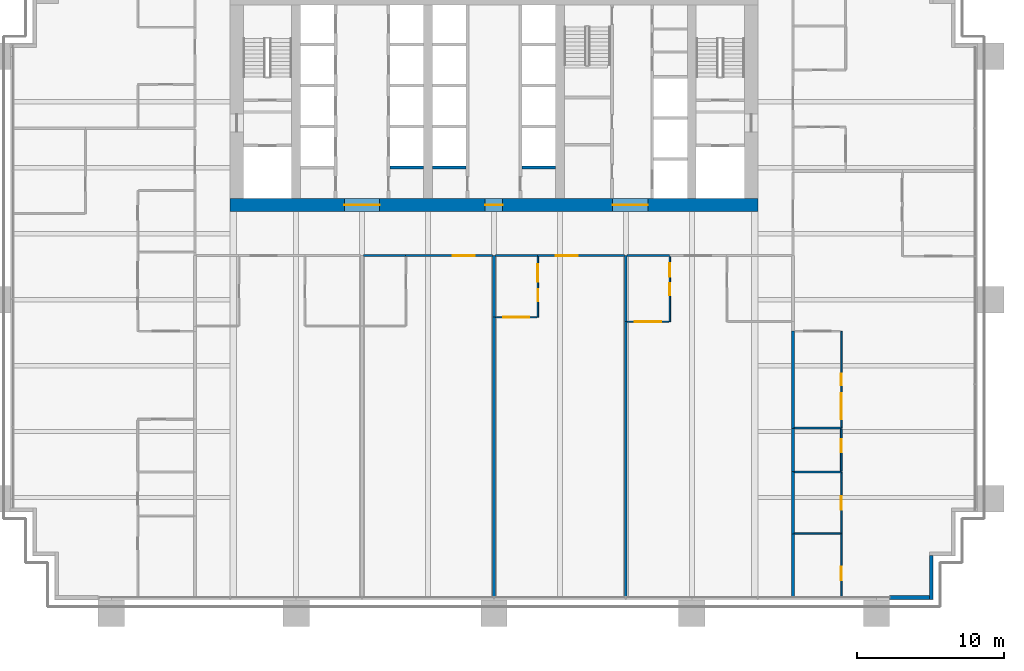
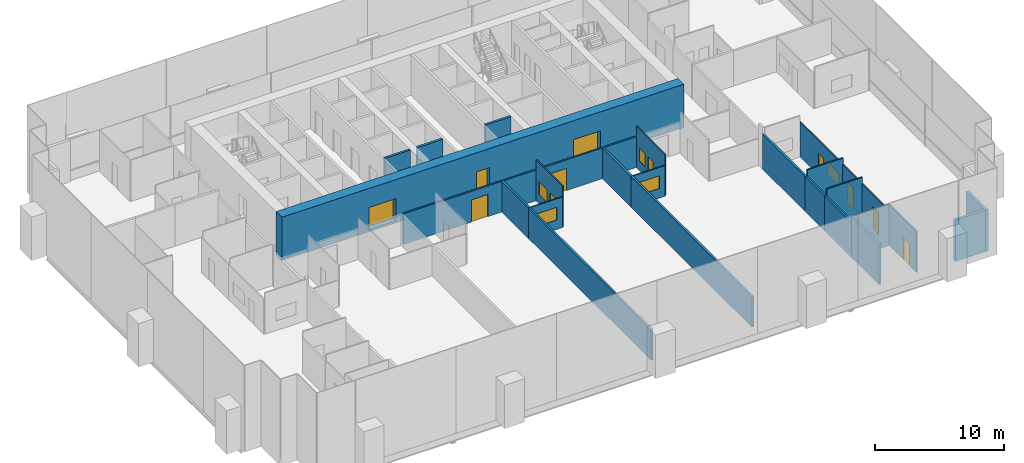
# One storey, part 12 of 18: 30 walls, 11 doors, 5 windows, 16 openings.
"""IFC4 building model written with IfcOpenShell, lengths in metres."""

from ifc_helpers import new_model, si_unit, direction, frame, frame_2d, origin, place, context, subcontext, project, spatial, rectangle, extrude, material, layer, layer_set, type_object, element, fill, save


model = new_model("IFC4")

# Units and contexts
model_context = context("Model", 3, precision=1e-05, world=origin(), true_north=direction((0.0, 1.0)))
body_context = subcontext(model_context, "Body", "Model", "MODEL_VIEW")
ifc_project = project(units=[si_unit("LENGTHUNIT", "METRE"), si_unit("AREAUNIT", "SQUARE_METRE"), si_unit("VOLUMEUNIT", "CUBIC_METRE"), si_unit("PLANEANGLEUNIT", "RADIAN"), si_unit("MASSUNIT", "GRAM", prefix="KILO")], contexts=[model_context])

# Site, building, storey
site_placement = place(None, origin())
site = spatial("IfcSite", under=ifc_project, at=site_placement, CompositionType="ELEMENT")
building_placement = place(site_placement, origin())
building = spatial("IfcBuilding", under=site, at=building_placement, Name="Rattan Terrace Tower", CompositionType="ELEMENT")
storey_placement = place(building_placement, frame((0.0, 0.0, 32.39990234375)))
storey = spatial("IfcBuildingStorey", under=building, at=storey_placement, Name="L06", CompositionType="ELEMENT", Elevation=32.39990234375)

# Wall, openings, doors
ifc_material_1 = material(Name="Concrete C70/85", Category="concrete")
ifc_layer_1 = layer(ifc_material_1, 0.89990234375)
ifc_layer_set_1 = layer_set([ifc_layer_1], Name="Core ring wall 900 C70/85")
wall_type_1 = type_object("IfcWallType", Name="Core ring wall 900 C70/85", PredefinedType="SHEAR", material=ifc_layer_set_1)
wall_1_placement = place(storey_placement, frame((-18.0, -7.050048828125, -0.199951171875), z_axis=(0.0, 0.0, 1.0), x_axis=(1.0, 0.0, 0.0)))
wall_1 = element("IfcWall", 1, at=wall_1_placement, inside=storey, type_object=wall_type_1, Name="Rear core wall south", PredefinedType="SHEAR", context=body_context, shape_type="SweptSolid", body=[
    extrude(rectangle(XDim=36.0, YDim=0.89990234375, at=frame_2d((18.0, 0.0))), origin(), (0.0, 0.0, 1.0), 4.10009765625),
])
opening_1_placement = place(wall_1_placement, frame((7.800048828125, 0.0, 0.199951171875)))
opening_1 = element("IfcOpeningElement", 2, at=opening_1_placement, cuts=wall_1, Name="Opening L06-D007", PredefinedType="OPENING", context=body_context, shape_type="SweptSolid", body=[
    extrude(rectangle(XDim=2.39990234375, YDim=2.10009765625, at=frame_2d((1.199951171875, 1.050048828125))), frame((0.0, 0.46044921875, 0.0), z_axis=(0.0, -1.0, 0.0), x_axis=(1.0, 0.0, 0.0)), (0.0, 0.0, 1.0), 0.9208984375),
])
opening_2_placement = place(wall_1_placement, frame((17.39990234375, 0.0, 0.199951171875)))
opening_2 = element("IfcOpeningElement", 3, at=opening_2_placement, cuts=wall_1, Name="Opening L06-D010", PredefinedType="OPENING", context=body_context, shape_type="SweptSolid", body=[
    extrude(rectangle(XDim=1.199951171875, YDim=2.10009765625, at=frame_2d((0.60009765625, 1.050048828125))), frame((0.0, 0.46044921875, 0.0), z_axis=(0.0, -1.0, 0.0), x_axis=(1.0, 0.0, 0.0)), (0.0, 0.0, 1.0), 0.9208984375),
])
opening_3_placement = place(wall_1_placement, frame((26.10009765625, 0.0, 0.199951171875)))
opening_3 = element("IfcOpeningElement", 4, at=opening_3_placement, cuts=wall_1, Name="Opening L06-D014", PredefinedType="OPENING", context=body_context, shape_type="SweptSolid", body=[
    extrude(rectangle(XDim=2.39990234375, YDim=2.10009765625, at=frame_2d((1.199951171875, 1.050048828125))), frame((0.0, 0.46044921875, 0.0), z_axis=(0.0, -1.0, 0.0), x_axis=(1.0, 0.0, 0.0)), (0.0, 0.0, 1.0), 0.9208984375),
])
ifc_material_2 = material(Name="Hollow-metal fire door leaf")
door_type_1 = type_object("IfcDoorType", Name="Core lift lobby door 2400", OperationType="NOTDEFINED", PredefinedType="DOOR", material=ifc_material_2)
door_1_placement = place(opening_1_placement, origin())
door_1 = element("IfcDoor", 5, at=door_1_placement, inside=storey, type_object=door_type_1, Name="Door L06-D007", OperationType="DOUBLE_DOOR_DOUBLE_SWING", OverallHeight=2.10009765625, OverallWidth=2.39990234375, PredefinedType="DOOR", context=body_context, shape_type="SweptSolid", body=[
    extrude(rectangle(XDim=2.39990234375, YDim=2.10009765625, at=frame_2d((1.199951171875, 1.050048828125))), frame((0.0, 0.02490234375, 0.0), z_axis=(0.0, -1.0, 0.0), x_axis=(1.0, 0.0, 0.0)), (0.0, 0.0, 1.0), 0.050048828125),
])
fill(opening_1, door_1)
door_2_placement = place(opening_3_placement, origin())
door_2 = element("IfcDoor", 6, at=door_2_placement, inside=storey, type_object=door_type_1, Name="Door L06-D014", OperationType="DOUBLE_DOOR_DOUBLE_SWING", OverallHeight=2.10009765625, OverallWidth=2.39990234375, PredefinedType="DOOR", context=body_context, shape_type="SweptSolid", body=[
    extrude(rectangle(XDim=2.39990234375, YDim=2.10009765625, at=frame_2d((1.199951171875, 1.050048828125))), frame((0.0, 0.02490234375, 0.0), z_axis=(0.0, -1.0, 0.0), x_axis=(1.0, 0.0, 0.0)), (0.0, 0.0, 1.0), 0.050048828125),
])
fill(opening_3, door_2)
ifc_material_3 = material(Name="Hollow-metal fire door leaf")
door_type_2 = type_object("IfcDoorType", Name="Core riser door 1200", OperationType="NOTDEFINED", PredefinedType="DOOR", material=ifc_material_3)
door_3_placement = place(opening_2_placement, origin())
door_3 = element("IfcDoor", 7, at=door_3_placement, inside=storey, type_object=door_type_2, Name="Door L06-D010", OperationType="SINGLE_SWING_RIGHT", OverallHeight=2.10009765625, OverallWidth=1.199951171875, PredefinedType="DOOR", context=body_context, shape_type="SweptSolid", body=[
    extrude(rectangle(XDim=1.199951171875, YDim=2.10009765625, at=frame_2d((0.60009765625, 1.050048828125))), frame((0.0, 0.02490234375, 0.0), z_axis=(0.0, -1.0, 0.0), x_axis=(1.0, 0.0, 0.0)), (0.0, 0.0, 1.0), 0.050048828125),
])
fill(opening_2, door_3)

# Walls
ifc_material_4 = material(Name="Insulated aluminium-clad stud wall", Category="aluminium")
ifc_layer_2 = layer(ifc_material_4, 0.25)
ifc_layer_set_2 = layer_set([ifc_layer_2], Name="Facade Riser Wall 250")
wall_type_2 = type_object("IfcWallType", Name="Facade Riser Wall 250", PredefinedType="SOLIDWALL", material=ifc_layer_set_2)
wall_2_placement = place(storey_placement, frame((27.0, -33.830078125, 0.0), z_axis=(0.0, 0.0, 1.0), x_axis=(1.0, 0.0, 0.0)))
element("IfcWall", 8, at=wall_2_placement, inside=storey, type_object=wall_type_2, Name="Riser wall L06-1", PredefinedType="SOLIDWALL", context=body_context, shape_type="SweptSolid", body=[
    extrude(rectangle(XDim=2.705078125, YDim=0.25, at=frame_2d((1.3525390625, 0.0))), origin(), (0.0, 0.0, 1.0), 3.900146484375),
])
wall_3_placement = place(storey_placement, frame((29.830078125, -33.955078125, 0.0), z_axis=(0.0, 0.0, 1.0), x_axis=(0.0, 1.0, 0.0)))
element("IfcWall", 9, at=wall_3_placement, inside=storey, type_object=wall_type_2, Name="Riser wall L06-2", PredefinedType="SOLIDWALL", context=body_context, shape_type="SweptSolid", body=[
    extrude(rectangle(XDim=3.0, YDim=0.25, at=frame_2d((1.5, 0.0))), origin(), (0.0, 0.0, 1.0), 3.900146484375),
])
ifc_material_5 = material(Name="Double steel stud acoustic partition, gypsum board, mineral wool, fire rated", Category="steel")
ifc_layer_3 = layer(ifc_material_5, 0.179931640625)
ifc_layer_set_3 = layer_set([ifc_layer_3], Name="Floors Acoustic Party Wall 180")
wall_type_3 = type_object("IfcWallType", Name="Floors Acoustic Party Wall 180", PredefinedType="PARTITIONING", material=ifc_layer_set_3)
wall_4_placement = place(storey_placement, frame((0.0, -14.679931640625, 0.0), z_axis=(0.0, 0.0, 1.0), x_axis=(0.0, -1.0, 0.0)))
element("IfcWall", 10, at=wall_4_placement, inside=storey, type_object=wall_type_3, Name="pt-L06-056", PredefinedType="PARTITIONING", context=body_context, shape_type="SweptSolid", body=[
    extrude(rectangle(XDim=19.06005859375, YDim=0.179931640625, at=frame_2d((9.530029296875, 0.0))), origin(), (0.0, 0.0, 1.0), 2.900146484375),
])
wall_5_placement = place(storey_placement, frame((0.0, -10.5, 0.0), z_axis=(0.0, 0.0, 1.0), x_axis=(0.0, -1.0, 0.0)))
element("IfcWall", 11, at=wall_5_placement, inside=storey, type_object=wall_type_3, Name="pt-L06-057", PredefinedType="PARTITIONING", context=body_context, shape_type="SweptSolid", body=[
    extrude(rectangle(XDim=4.179931640625, YDim=0.179931640625, at=frame_2d((2.08984375, 0.0))), origin(), (0.0, 0.0, 1.0), 2.900146484375),
])
wall_6_placement = place(storey_placement, frame((9.0, -14.97998046875, 0.0), z_axis=(0.0, 0.0, 1.0), x_axis=(0.0, -1.0, 0.0)))
element("IfcWall", 12, at=wall_6_placement, inside=storey, type_object=wall_type_3, Name="pt-L06-060", PredefinedType="PARTITIONING", context=body_context, shape_type="SweptSolid", body=[
    extrude(rectangle(XDim=18.760009765625, YDim=0.179931640625, at=frame_2d((9.3798828125, 0.0))), origin(), (0.0, 0.0, 1.0), 2.900146484375),
])
wall_7_placement = place(storey_placement, frame((9.0, -10.5, 0.0), z_axis=(0.0, 0.0, 1.0), x_axis=(0.0, -1.0, 0.0)))
element("IfcWall", 13, at=wall_7_placement, inside=storey, type_object=wall_type_3, Name="pt-L06-061", PredefinedType="PARTITIONING", context=body_context, shape_type="SweptSolid", body=[
    extrude(rectangle(XDim=4.47998046875, YDim=0.179931640625, at=frame_2d((2.239990234375, 0.0))), origin(), (0.0, 0.0, 1.0), 2.900146484375),
])
wall_8_placement = place(storey_placement, frame((20.39990234375, -29.47998046875, 0.0), z_axis=(0.0, 0.0, 1.0), x_axis=(0.0, -1.0, 0.0)))
element("IfcWall", 14, at=wall_8_placement, inside=storey, type_object=wall_type_3, Name="pt-L06-067", PredefinedType="PARTITIONING", context=body_context, shape_type="SweptSolid", body=[
    extrude(rectangle(XDim=4.260009765625, YDim=0.179931640625, at=frame_2d((2.1298828125, 0.0))), origin(), (0.0, 0.0, 1.0), 3.900146484375),
])
wall_9_placement = place(storey_placement, frame((20.39990234375, -25.239990234375, 0.0), z_axis=(0.0, 0.0, 1.0), x_axis=(0.0, -1.0, 0.0)))
element("IfcWall", 15, at=wall_9_placement, inside=storey, type_object=wall_type_3, Name="pt-L06-068", PredefinedType="PARTITIONING", context=body_context, shape_type="SweptSolid", body=[
    extrude(rectangle(XDim=4.239990234375, YDim=0.179931640625, at=frame_2d((2.1201171875, 0.0))), origin(), (0.0, 0.0, 1.0), 3.300048828125),
])
wall_10_placement = place(storey_placement, frame((20.39990234375, -22.280029296875, 0.0), z_axis=(0.0, 0.0, 1.0), x_axis=(0.0, -1.0, 0.0)))
element("IfcWall", 16, at=wall_10_placement, inside=storey, type_object=wall_type_3, Name="pt-L06-069", PredefinedType="PARTITIONING", context=body_context, shape_type="SweptSolid", body=[
    extrude(rectangle(XDim=2.9599609375, YDim=0.179931640625, at=frame_2d((1.47998046875, 0.0))), origin(), (0.0, 0.0, 1.0), 3.300048828125),
])
wall_11_placement = place(storey_placement, frame((20.39990234375, -15.639892578125, 0.0), z_axis=(0.0, 0.0, 1.0), x_axis=(0.0, -1.0, 0.0)))
element("IfcWall", 17, at=wall_11_placement, inside=storey, type_object=wall_type_3, Name="pt-L06-070", PredefinedType="PARTITIONING", context=body_context, shape_type="SweptSolid", body=[
    extrude(rectangle(XDim=6.64013671875, YDim=0.179931640625, at=frame_2d((3.320068359375, 0.0))), origin(), (0.0, 0.0, 1.0), 3.300048828125),
])

# Wall, opening, window
ifc_material_6 = material(Name="Gypsum board partition on steel studs", Category="steel")
ifc_layer_4 = layer(ifc_material_6, 0.10009765625)
ifc_layer_set_4 = layer_set([ifc_layer_4], Name="Floors Partition 100")
wall_type_4 = type_object("IfcWallType", Name="Floors Partition 100", PredefinedType="PARTITIONING", material=ifc_layer_set_4)
wall_12_placement = place(storey_placement, frame((0.090087890625, -14.699951171875, 0.0), z_axis=(0.0, 0.0, 1.0), x_axis=(1.0, 0.0, 0.0)))
wall_12 = element("IfcWall", 18, at=wall_12_placement, inside=storey, type_object=wall_type_4, Name="pt-L06-058", PredefinedType="PARTITIONING", context=body_context, shape_type="SweptSolid", body=[
    extrude(rectangle(XDim=2.85986328125, YDim=0.10009765625, at=frame_2d((1.429931640625, 0.0))), origin(), (0.0, 0.0, 1.0), 2.900146484375),
])
opening_4_placement = place(wall_12_placement, frame((0.530029296875, 0.0, 0.89990234375)))
opening_4 = element("IfcOpeningElement", 19, at=opening_4_placement, cuts=wall_12, Name="Opening L06-W102", PredefinedType="OPENING", context=body_context, shape_type="SweptSolid", body=[
    extrude(rectangle(XDim=1.800048828125, YDim=1.199951171875, at=frame_2d((0.89990234375, 0.60009765625))), frame((0.0, 0.060546875, 0.0), z_axis=(0.0, -1.0, 0.0), x_axis=(1.0, 0.0, 0.0)), (0.0, 0.0, 1.0), 0.12109375),
])
ifc_material_7 = material(Name="Glass, clear, fixed in aluminium frame", Category="aluminium")
window_type_1 = type_object("IfcWindowType", Name="Interior Vision Window 1800x1200", PartitioningType="SINGLE_PANEL", PredefinedType="WINDOW", material=ifc_material_7)
window_1_placement = place(opening_4_placement, origin())
window_1 = element("IfcWindow", 20, at=window_1_placement, inside=storey, type_object=window_type_1, Name="w-L06-102", OverallHeight=1.199951171875, OverallWidth=1.800048828125, PartitioningType="SINGLE_PANEL", PredefinedType="WINDOW", context=body_context, shape_type="SweptSolid", body=[
    extrude(rectangle(XDim=1.800048828125, YDim=1.199951171875, at=frame_2d((0.89990234375, 0.60009765625))), frame((0.0, 0.030029296875, 0.0), z_axis=(0.0, -1.0, 0.0), x_axis=(1.0, 0.0, 0.0)), (0.0, 0.0, 1.0), 0.06005859375),
])
fill(opening_4, window_1)

# Wall, openings, door, window
wall_13_placement = place(storey_placement, frame((3.0, -14.699951171875, 0.0), z_axis=(0.0, 0.0, 1.0), x_axis=(0.0, 1.0, 0.0)))
wall_13 = element("IfcWall", 21, at=wall_13_placement, inside=storey, type_object=wall_type_4, Name="pt-L06-059", PredefinedType="PARTITIONING", context=body_context, shape_type="SweptSolid", body=[
    extrude(rectangle(XDim=4.125, YDim=0.10009765625, at=frame_2d((2.0625, 0.0))), origin(), (0.0, 0.0, 1.0), 3.900146484375),
])
opening_5_placement = place(wall_13_placement, frame((1.097900390625, 0.0, 0.0)))
opening_5 = element("IfcOpeningElement", 22, at=opening_5_placement, cuts=wall_13, Name="Opening L06-D116", PredefinedType="OPENING", context=body_context, shape_type="SweptSolid", body=[
    extrude(rectangle(XDim=0.800048828125, YDim=2.10009765625, at=frame_2d((0.39990234375, 1.050048828125))), frame((0.0, 0.060546875, 0.0), z_axis=(0.0, -1.0, 0.0), x_axis=(1.0, 0.0, 0.0)), (0.0, 0.0, 1.0), 0.12109375),
])
opening_6_placement = place(wall_13_placement, frame((2.410888671875, 0.0, 0.89990234375)))
opening_6 = element("IfcOpeningElement", 23, at=opening_6_placement, cuts=wall_13, Name="Opening L06-W103", PredefinedType="OPENING", context=body_context, shape_type="SweptSolid", body=[
    extrude(rectangle(XDim=1.199951171875, YDim=1.199951171875, at=frame_2d((0.60009765625, 0.60009765625))), frame((0.0, 0.060546875, 0.0), z_axis=(0.0, -1.0, 0.0), x_axis=(1.0, 0.0, 0.0)), (0.0, 0.0, 1.0), 0.12109375),
])
ifc_material_8 = material(Name="Solid core timber door, painted", Category="wood")
door_type_3 = type_object("IfcDoorType", Name="Floors Store Door 800x2100", OperationType="NOTDEFINED", PredefinedType="DOOR", material=ifc_material_8)
door_4_placement = place(opening_5_placement, origin())
door_4 = element("IfcDoor", 24, at=door_4_placement, inside=storey, type_object=door_type_3, Name="d-L06-116", OperationType="SINGLE_SWING_LEFT", OverallHeight=2.10009765625, OverallWidth=0.800048828125, PredefinedType="DOOR", context=body_context, shape_type="SweptSolid", body=[
    extrude(rectangle(XDim=0.800048828125, YDim=2.10009765625, at=frame_2d((0.39990234375, 1.050048828125))), frame((0.0, 0.02490234375, 0.0), z_axis=(0.0, -1.0, 0.0), x_axis=(1.0, 0.0, 0.0)), (0.0, 0.0, 1.0), 0.050048828125),
])
fill(opening_5, door_4)
ifc_material_9 = material(Name="Glass, clear, fixed in aluminium frame", Category="aluminium")
window_type_2 = type_object("IfcWindowType", Name="Interior Vision Window 1200x1200", PartitioningType="SINGLE_PANEL", PredefinedType="WINDOW", material=ifc_material_9)
window_2_placement = place(opening_6_placement, origin())
window_2 = element("IfcWindow", 25, at=window_2_placement, inside=storey, type_object=window_type_2, Name="w-L06-103", OverallHeight=1.199951171875, OverallWidth=1.199951171875, PartitioningType="SINGLE_PANEL", PredefinedType="WINDOW", context=body_context, shape_type="SweptSolid", body=[
    extrude(rectangle(XDim=1.199951171875, YDim=1.199951171875, at=frame_2d((0.60009765625, 0.60009765625))), frame((0.0, 0.030029296875, 0.0), z_axis=(0.0, -1.0, 0.0), x_axis=(1.0, 0.0, 0.0)), (0.0, 0.0, 1.0), 0.06005859375),
])
fill(opening_6, window_2)

# Wall, opening, window
wall_14_placement = place(storey_placement, frame((9.090087890625, -15.0, 0.0), z_axis=(0.0, 0.0, 1.0), x_axis=(1.0, 0.0, 0.0)))
wall_14 = element("IfcWall", 26, at=wall_14_placement, inside=storey, type_object=wall_type_4, Name="pt-L06-062", PredefinedType="PARTITIONING", context=body_context, shape_type="SweptSolid", body=[
    extrude(rectangle(XDim=2.85986328125, YDim=0.10009765625, at=frame_2d((1.429931640625, 0.0))), origin(), (0.0, 0.0, 1.0), 2.900146484375),
])
opening_7_placement = place(wall_14_placement, frame((0.530029296875, 0.0, 0.89990234375)))
opening_7 = element("IfcOpeningElement", 27, at=opening_7_placement, cuts=wall_14, Name="Opening L06-W104", PredefinedType="OPENING", context=body_context, shape_type="SweptSolid", body=[
    extrude(rectangle(XDim=1.800048828125, YDim=1.199951171875, at=frame_2d((0.89990234375, 0.60009765625))), frame((0.0, 0.060546875, 0.0), z_axis=(0.0, -1.0, 0.0), x_axis=(1.0, 0.0, 0.0)), (0.0, 0.0, 1.0), 0.12109375),
])
window_3_placement = place(opening_7_placement, origin())
window_3 = element("IfcWindow", 28, at=window_3_placement, inside=storey, type_object=window_type_1, Name="w-L06-104", OverallHeight=1.199951171875, OverallWidth=1.800048828125, PartitioningType="SINGLE_PANEL", PredefinedType="WINDOW", context=body_context, shape_type="SweptSolid", body=[
    extrude(rectangle(XDim=1.800048828125, YDim=1.199951171875, at=frame_2d((0.89990234375, 0.60009765625))), frame((0.0, 0.030029296875, 0.0), z_axis=(0.0, -1.0, 0.0), x_axis=(1.0, 0.0, 0.0)), (0.0, 0.0, 1.0), 0.06005859375),
])
fill(opening_7, window_3)

# Wall, openings, door, window
wall_15_placement = place(storey_placement, frame((12.0, -15.0, 0.0), z_axis=(0.0, 0.0, 1.0), x_axis=(0.0, 1.0, 0.0)))
wall_15 = element("IfcWall", 29, at=wall_15_placement, inside=storey, type_object=wall_type_4, Name="pt-L06-063", PredefinedType="PARTITIONING", context=body_context, shape_type="SweptSolid", body=[
    extrude(rectangle(XDim=4.425048828125, YDim=0.10009765625, at=frame_2d((2.21240234375, 0.0))), origin(), (0.0, 0.0, 1.0), 3.900146484375),
])
opening_8_placement = place(wall_15_placement, frame((1.81298828125, 0.0, 0.0)))
opening_8 = element("IfcOpeningElement", 30, at=opening_8_placement, cuts=wall_15, Name="Opening L06-D118", PredefinedType="OPENING", context=body_context, shape_type="SweptSolid", body=[
    extrude(rectangle(XDim=0.800048828125, YDim=2.10009765625, at=frame_2d((0.39990234375, 1.050048828125))), frame((0.0, 0.060546875, 0.0), z_axis=(0.0, -1.0, 0.0), x_axis=(1.0, 0.0, 0.0)), (0.0, 0.0, 1.0), 0.12109375),
])
opening_9_placement = place(wall_15_placement, frame((3.069091796875, 0.0, 0.89990234375)))
opening_9 = element("IfcOpeningElement", 31, at=opening_9_placement, cuts=wall_15, Name="Opening L06-W105", PredefinedType="OPENING", context=body_context, shape_type="SweptSolid", body=[
    extrude(rectangle(XDim=0.89990234375, YDim=1.199951171875, at=frame_2d((0.449951171875, 0.60009765625))), frame((0.0, 0.060546875, 0.0), z_axis=(0.0, -1.0, 0.0), x_axis=(1.0, 0.0, 0.0)), (0.0, 0.0, 1.0), 0.12109375),
])
door_5_placement = place(opening_8_placement, origin())
door_5 = element("IfcDoor", 32, at=door_5_placement, inside=storey, type_object=door_type_3, Name="d-L06-118", OperationType="SINGLE_SWING_LEFT", OverallHeight=2.10009765625, OverallWidth=0.800048828125, PredefinedType="DOOR", context=body_context, shape_type="SweptSolid", body=[
    extrude(rectangle(XDim=0.800048828125, YDim=2.10009765625, at=frame_2d((0.39990234375, 1.050048828125))), frame((0.0, 0.02490234375, 0.0), z_axis=(0.0, -1.0, 0.0), x_axis=(1.0, 0.0, 0.0)), (0.0, 0.0, 1.0), 0.050048828125),
])
fill(opening_8, door_5)
ifc_material_10 = material(Name="Glass, clear, fixed in aluminium frame", Category="aluminium")
window_type_3 = type_object("IfcWindowType", Name="Interior Vision Window 900x1200", PartitioningType="SINGLE_PANEL", PredefinedType="WINDOW", material=ifc_material_10)
window_4_placement = place(opening_9_placement, origin())
window_4 = element("IfcWindow", 33, at=window_4_placement, inside=storey, type_object=window_type_3, Name="w-L06-105", OverallHeight=1.199951171875, OverallWidth=0.89990234375, PartitioningType="SINGLE_PANEL", PredefinedType="WINDOW", context=body_context, shape_type="SweptSolid", body=[
    extrude(rectangle(XDim=0.89990234375, YDim=1.199951171875, at=frame_2d((0.449951171875, 0.60009765625))), frame((0.0, 0.030029296875, 0.0), z_axis=(0.0, -1.0, 0.0), x_axis=(1.0, 0.0, 0.0)), (0.0, 0.0, 1.0), 0.06005859375),
])
fill(opening_9, window_4)

# Wall, opening, door
wall_16_placement = place(storey_placement, frame((23.699951171875, -33.739990234375, 0.0), z_axis=(0.0, 0.0, 1.0), x_axis=(0.0, 1.0, 0.0)))
wall_16 = element("IfcWall", 34, at=wall_16_placement, inside=storey, type_object=wall_type_4, Name="pt-L06-074", PredefinedType="PARTITIONING", context=body_context, shape_type="SweptSolid", body=[
    extrude(rectangle(XDim=4.260009765625, YDim=0.10009765625, at=frame_2d((2.1298828125, 0.0))), origin(), (0.0, 0.0, 1.0), 3.900146484375),
])
opening_10_placement = place(wall_16_placement, frame((1.10791015625, 0.0, 0.0)))
opening_10 = element("IfcOpeningElement", 35, at=opening_10_placement, cuts=wall_16, Name="Opening L06-D122", PredefinedType="OPENING", context=body_context, shape_type="SweptSolid", body=[
    extrude(rectangle(XDim=0.89990234375, YDim=2.10009765625, at=frame_2d((0.449951171875, 1.050048828125))), frame((0.0, 0.060546875, 0.0), z_axis=(0.0, -1.0, 0.0), x_axis=(1.0, 0.0, 0.0)), (0.0, 0.0, 1.0), 0.12109375),
])
ifc_material_11 = material(Name="Solid core timber door, painted", Category="wood")
door_type_4 = type_object("IfcDoorType", Name="Floors Door 900x2100", OperationType="NOTDEFINED", PredefinedType="DOOR", material=ifc_material_11)
door_6_placement = place(opening_10_placement, origin())
door_6 = element("IfcDoor", 36, at=door_6_placement, inside=storey, type_object=door_type_4, Name="d-L06-122", OperationType="SINGLE_SWING_LEFT", OverallHeight=2.10009765625, OverallWidth=0.89990234375, PredefinedType="DOOR", context=body_context, shape_type="SweptSolid", body=[
    extrude(rectangle(XDim=0.89990234375, YDim=2.10009765625, at=frame_2d((0.449951171875, 1.050048828125))), frame((0.0, 0.02490234375, 0.0), z_axis=(0.0, -1.0, 0.0), x_axis=(1.0, 0.0, 0.0)), (0.0, 0.0, 1.0), 0.050048828125),
])
fill(opening_10, door_6)

wall_17_placement = place(storey_placement, frame((23.699951171875, -29.47998046875, 0.0), z_axis=(0.0, 0.0, 1.0), x_axis=(0.0, 1.0, 0.0)))
wall_17 = element("IfcWall", 37, at=wall_17_placement, inside=storey, type_object=wall_type_4, Name="pt-L06-075", PredefinedType="PARTITIONING", context=body_context, shape_type="SweptSolid", body=[
    extrude(rectangle(XDim=4.199951171875, YDim=0.10009765625, at=frame_2d((2.10009765625, 0.0))), origin(), (0.0, 0.0, 1.0), 3.300048828125),
])
opening_11_placement = place(wall_17_placement, frame((1.64990234375, 0.0, 0.0)))
opening_11 = element("IfcOpeningElement", 38, at=opening_11_placement, cuts=wall_17, Name="Opening L06-D123", PredefinedType="OPENING", context=body_context, shape_type="SweptSolid", body=[
    extrude(rectangle(XDim=0.89990234375, YDim=2.10009765625, at=frame_2d((0.449951171875, 1.050048828125))), frame((0.0, 0.060546875, 0.0), z_axis=(0.0, -1.0, 0.0), x_axis=(1.0, 0.0, 0.0)), (0.0, 0.0, 1.0), 0.12109375),
])
door_7_placement = place(opening_11_placement, origin())
door_7 = element("IfcDoor", 39, at=door_7_placement, inside=storey, type_object=door_type_4, Name="d-L06-123", OperationType="SINGLE_SWING_RIGHT", OverallHeight=2.10009765625, OverallWidth=0.89990234375, PredefinedType="DOOR", context=body_context, shape_type="SweptSolid", body=[
    extrude(rectangle(XDim=0.89990234375, YDim=2.10009765625, at=frame_2d((0.449951171875, 1.050048828125))), frame((0.0, 0.02490234375, 0.0), z_axis=(0.0, -1.0, 0.0), x_axis=(1.0, 0.0, 0.0)), (0.0, 0.0, 1.0), 0.050048828125),
])
fill(opening_11, door_7)

# Wall, openings, door, window
wall_18_placement = place(storey_placement, frame((23.699951171875, -22.239990234375, 0.0), z_axis=(0.0, 0.0, 1.0), x_axis=(0.0, 1.0, 0.0)))
wall_18 = element("IfcWall", 40, at=wall_18_placement, inside=storey, type_object=wall_type_4, Name="pt-L06-078", PredefinedType="PARTITIONING", context=body_context, shape_type="SweptSolid", body=[
    extrude(rectangle(XDim=6.580078125, YDim=0.10009765625, at=frame_2d((3.2900390625, 0.0))), origin(), (0.0, 0.0, 1.0), 3.300048828125),
])
opening_12_placement = place(wall_18_placement, frame((2.889892578125, 0.0, 0.0)))
opening_12 = element("IfcOpeningElement", 41, at=opening_12_placement, cuts=wall_18, Name="Opening L06-D125", PredefinedType="OPENING", context=body_context, shape_type="SweptSolid", body=[
    extrude(rectangle(XDim=0.800048828125, YDim=2.10009765625, at=frame_2d((0.39990234375, 1.050048828125))), frame((0.0, 0.060546875, 0.0), z_axis=(0.0, -1.0, 0.0), x_axis=(1.0, 0.0, 0.0)), (0.0, 0.0, 1.0), 0.12109375),
])
opening_13_placement = place(wall_18_placement, frame((0.56494140625, 0.0, 0.89990234375)))
opening_13 = element("IfcOpeningElement", 42, at=opening_13_placement, cuts=wall_18, Name="Opening L06-W109", PredefinedType="OPENING", context=body_context, shape_type="SweptSolid", body=[
    extrude(rectangle(XDim=1.800048828125, YDim=1.199951171875, at=frame_2d((0.89990234375, 0.60009765625))), frame((0.0, 0.060546875, 0.0), z_axis=(0.0, -1.0, 0.0), x_axis=(1.0, 0.0, 0.0)), (0.0, 0.0, 1.0), 0.12109375),
])
door_8_placement = place(opening_12_placement, origin())
door_8 = element("IfcDoor", 43, at=door_8_placement, inside=storey, type_object=door_type_3, Name="d-L06-125", OperationType="SINGLE_SWING_RIGHT", OverallHeight=2.10009765625, OverallWidth=0.800048828125, PredefinedType="DOOR", context=body_context, shape_type="SweptSolid", body=[
    extrude(rectangle(XDim=0.800048828125, YDim=2.10009765625, at=frame_2d((0.39990234375, 1.050048828125))), frame((0.0, 0.02490234375, 0.0), z_axis=(0.0, -1.0, 0.0), x_axis=(1.0, 0.0, 0.0)), (0.0, 0.0, 1.0), 0.050048828125),
])
fill(opening_12, door_8)
window_5_placement = place(opening_13_placement, origin())
window_5 = element("IfcWindow", 44, at=window_5_placement, inside=storey, type_object=window_type_1, Name="w-L06-109", OverallHeight=1.199951171875, OverallWidth=1.800048828125, PartitioningType="SINGLE_PANEL", PredefinedType="WINDOW", context=body_context, shape_type="SweptSolid", body=[
    extrude(rectangle(XDim=1.800048828125, YDim=1.199951171875, at=frame_2d((0.89990234375, 0.60009765625))), frame((0.0, 0.030029296875, 0.0), z_axis=(0.0, -1.0, 0.0), x_axis=(1.0, 0.0, 0.0)), (0.0, 0.0, 1.0), 0.06005859375),
])
fill(opening_13, window_5)

# Wall
wall_19_placement = place(storey_placement, frame((20.489990234375, -29.4599609375, 0.0), z_axis=(0.0, 0.0, 1.0), x_axis=(1.0, 0.0, 0.0)))
element("IfcWall", 45, at=wall_19_placement, inside=storey, type_object=wall_type_4, Name="pt-L06-082", PredefinedType="PARTITIONING", context=body_context, shape_type="SweptSolid", body=[
    extrude(rectangle(XDim=3.159912109375, YDim=0.10009765625, at=frame_2d((1.580078125, 0.0))), origin(), (0.0, 0.0, 1.0), 3.900146484375),
])

# Wall, opening, door
ifc_material_12 = material(Name="Gypsum board partition on steel studs, fire rated", Category="steel")
ifc_layer_5 = layer(ifc_material_12, 0.14990234375)
ifc_layer_set_5 = layer_set([ifc_layer_5], Name="Floors Tenancy Wall 150")
wall_type_5 = type_object("IfcWallType", Name="Floors Tenancy Wall 150", PredefinedType="PARTITIONING", material=ifc_layer_set_5)
wall_20_placement = place(storey_placement, frame((-0.090087890625, -10.5, 0.0), z_axis=(0.0, 0.0, 1.0), x_axis=(-1.0, 0.0, 0.0)))
wall_20 = element("IfcWall", 46, at=wall_20_placement, inside=storey, type_object=wall_type_5, Name="pt-L06-010", PredefinedType="PARTITIONING", context=body_context, shape_type="SweptSolid", body=[
    extrude(rectangle(XDim=5.929931640625, YDim=0.14990234375, at=frame_2d((2.96484375, 0.0))), origin(), (0.0, 0.0, 1.0), 2.900146484375),
])
opening_14_placement = place(wall_20_placement, frame((1.23193359375, 0.0, 0.0)))
opening_14 = element("IfcOpeningElement", 47, at=opening_14_placement, cuts=wall_20, Name="Opening L06-D113", PredefinedType="OPENING", context=body_context, shape_type="SweptSolid", body=[
    extrude(rectangle(XDim=1.5, YDim=2.10009765625, at=frame_2d((0.75, 1.050048828125))), frame((0.0, 0.08544921875, 0.0), z_axis=(0.0, -1.0, 0.0), x_axis=(1.0, 0.0, 0.0)), (0.0, 0.0, 1.0), 0.1708984375),
])
ifc_material_13 = material(Name="Steel fire door set", Category="steel")
door_type_5 = type_object("IfcDoorType", Name="Floors Unit Door Pair FD30S 1500x2100", OperationType="NOTDEFINED", PredefinedType="DOOR", material=ifc_material_13)
door_9_placement = place(opening_14_placement, origin())
door_9 = element("IfcDoor", 48, at=door_9_placement, inside=storey, type_object=door_type_5, Name="d-L06-113", OperationType="DOUBLE_DOOR_SINGLE_SWING", OverallHeight=2.10009765625, OverallWidth=1.5, PredefinedType="DOOR", context=body_context, shape_type="SweptSolid", body=[
    extrude(rectangle(XDim=1.5, YDim=2.10009765625, at=frame_2d((0.75, 1.050048828125))), frame((0.0, 0.02490234375, 0.0), z_axis=(0.0, -1.0, 0.0), x_axis=(1.0, 0.0, 0.0)), (0.0, 0.0, 1.0), 0.050048828125),
])
fill(opening_14, door_9)

# Wall
wall_21_placement = place(storey_placement, frame((-6.02001953125, -10.5, 0.0), z_axis=(0.0, 0.0, 1.0), x_axis=(-1.0, 0.0, 0.0)))
element("IfcWall", 49, at=wall_21_placement, inside=storey, type_object=wall_type_5, Name="pt-L06-011", PredefinedType="PARTITIONING", context=body_context, shape_type="SweptSolid", body=[
    extrude(rectangle(XDim=2.889892578125, YDim=0.14990234375, at=frame_2d((1.44482421875, 0.0))), origin(), (0.0, 0.0, 1.0), 2.900146484375),
])

# Wall, opening, door
wall_22_placement = place(storey_placement, frame((8.909912109375, -10.5, 0.0), z_axis=(0.0, 0.0, 1.0), x_axis=(-1.0, 0.0, 0.0)))
wall_22 = element("IfcWall", 50, at=wall_22_placement, inside=storey, type_object=wall_type_5, Name="pt-L06-012", PredefinedType="PARTITIONING", context=body_context, shape_type="SweptSolid", body=[
    extrude(rectangle(XDim=5.929931640625, YDim=0.14990234375, at=frame_2d((2.96484375, 0.0))), origin(), (0.0, 0.0, 1.0), 2.900146484375),
])
opening_15_placement = place(wall_22_placement, frame((3.197021484375, 0.0, 0.0)))
opening_15 = element("IfcOpeningElement", 51, at=opening_15_placement, cuts=wall_22, Name="Opening L06-D115", PredefinedType="OPENING", context=body_context, shape_type="SweptSolid", body=[
    extrude(rectangle(XDim=1.5, YDim=2.10009765625, at=frame_2d((0.75, 1.050048828125))), frame((0.0, 0.08544921875, 0.0), z_axis=(0.0, -1.0, 0.0), x_axis=(1.0, 0.0, 0.0)), (0.0, 0.0, 1.0), 0.1708984375),
])
door_10_placement = place(opening_15_placement, origin())
door_10 = element("IfcDoor", 52, at=door_10_placement, inside=storey, type_object=door_type_5, Name="d-L06-115", OperationType="DOUBLE_DOOR_SINGLE_SWING", OverallHeight=2.10009765625, OverallWidth=1.5, PredefinedType="DOOR", context=body_context, shape_type="SweptSolid", body=[
    extrude(rectangle(XDim=1.5, YDim=2.10009765625, at=frame_2d((0.75, 1.050048828125))), frame((0.0, 0.02490234375, 0.0), z_axis=(0.0, -1.0, 0.0), x_axis=(1.0, 0.0, 0.0)), (0.0, 0.0, 1.0), 0.050048828125),
])
fill(opening_15, door_10)

# Walls
for number, where, z_axis, x_axis, name in (
    (53, (2.97998046875, -10.5, 0.0), (0.0, 0.0, 1.0), (-1.0, 0.0, 0.0), "pt-L06-013"),
    (54, (11.97998046875, -10.5, 0.0), (0.0, 0.0, 1.0), (-1.0, 0.0, 0.0), "pt-L06-015"),
):
    element("IfcWall", number, at=place(storey_placement, frame(where, z_axis=z_axis, x_axis=x_axis)), inside=storey, type_object=wall_type_5, Name=name, PredefinedType="PARTITIONING", context=body_context, shape_type="SweptSolid", body=[
        extrude(rectangle(XDim=2.889892578125, YDim=0.14990234375, at=frame_2d((1.44482421875, 0.0))), origin(), (0.0, 0.0, 1.0), 2.900146484375),
    ])

# Wall, opening, door
ifc_material_14 = material(Name="Moisture resistant gypsum board partition on steel studs with service cavity", Category="steel")
ifc_layer_6 = layer(ifc_material_14, 0.1201171875)
ifc_layer_set_6 = layer_set([ifc_layer_6], Name="Floors Wet Wall 120")
wall_type_6 = type_object("IfcWallType", Name="Floors Wet Wall 120", PredefinedType="PARTITIONING", material=ifc_layer_set_6)
wall_23_placement = place(storey_placement, frame((23.700927734375, -25.199951171875, 0.0), z_axis=(0.0, 0.0, 1.0), x_axis=(0.0, 1.0, 0.0)))
wall_23 = element("IfcWall", 55, at=wall_23_placement, inside=storey, type_object=wall_type_6, Name="pt-L06-076", PredefinedType="PARTITIONING", context=body_context, shape_type="SweptSolid", body=[
    extrude(rectangle(XDim=2.8798828125, YDim=0.1201171875, at=frame_2d((1.43994140625, 0.0))), origin(), (0.0, 0.0, 1.0), 3.300048828125),
])
opening_16_placement = place(wall_23_placement, frame((1.285888671875, 0.0, 0.0)))
opening_16 = element("IfcOpeningElement", 56, at=opening_16_placement, cuts=wall_23, Name="Opening L06-D124", PredefinedType="OPENING", context=body_context, shape_type="SweptSolid", body=[
    extrude(rectangle(XDim=0.89990234375, YDim=2.10009765625, at=frame_2d((0.449951171875, 1.050048828125))), frame((0.0, 0.070556640625, 0.0), z_axis=(0.0, -1.0, 0.0), x_axis=(1.0, 0.0, 0.0)), (0.0, 0.0, 1.0), 0.14111328125),
])
door_11_placement = place(opening_16_placement, origin())
door_11 = element("IfcDoor", 57, at=door_11_placement, inside=storey, type_object=door_type_4, Name="d-L06-124", OperationType="SINGLE_SWING_RIGHT", OverallHeight=2.10009765625, OverallWidth=0.89990234375, PredefinedType="DOOR", context=body_context, shape_type="SweptSolid", body=[
    extrude(rectangle(XDim=0.89990234375, YDim=2.10009765625, at=frame_2d((0.449951171875, 1.050048828125))), frame((0.0, 0.02490234375, 0.0), z_axis=(0.0, -1.0, 0.0), x_axis=(1.0, 0.0, 0.0)), (0.0, 0.0, 1.0), 0.050048828125),
])
fill(opening_16, door_11)

# Walls
for number, where, z_axis, x_axis, name in (
    (58, (20.489990234375, -25.260009765625, 0.0), (0.0, 0.0, 1.0), (1.0, 0.0, 0.0), "pt-L06-083"),
    (59, (20.489990234375, -22.260009765625, 0.0), (0.0, 0.0, 1.0), (1.0, 0.0, 0.0), "pt-L06-084"),
):
    element("IfcWall", number, at=place(storey_placement, frame(where, z_axis=z_axis, x_axis=x_axis)), inside=storey, type_object=wall_type_6, Name=name, PredefinedType="PARTITIONING", context=body_context, shape_type="SweptSolid", body=[
        extrude(rectangle(XDim=3.2099609375, YDim=0.1201171875, at=frame_2d((1.60498046875, 0.0))), origin(), (0.0, 0.0, 1.0), 3.900146484375),
    ])
ifc_material_15 = material(Name="Gypsum shaft wall system")
ifc_layer_7 = layer(ifc_material_15, 0.199951171875)
ifc_layer_set_7 = layer_set([ifc_layer_7], Name="Lift shaft wall 200")
wall_type_7 = type_object("IfcWallType", Name="Lift shaft wall 200", PredefinedType="PARTITIONING", material=ifc_layer_set_7)
for number, where, z_axis, x_axis, name in (
    (60, (-7.10009765625, -4.5, 0.0), (0.0, 0.0, 1.0), (1.0, 0.0, 0.0), "Lift shaft wall"),
    (61, (-4.199951171875, -4.5, 0.0), (0.0, 0.0, 1.0), (1.0, 0.0, 0.0), "Lift shaft wall"),
    (62, (1.89990234375, -4.5, 0.0), (0.0, 0.0, 1.0), (1.0, 0.0, 0.0), "Lift shaft wall"),
):
    element("IfcWall", number, at=place(storey_placement, frame(where, z_axis=z_axis, x_axis=x_axis)), inside=storey, type_object=wall_type_7, Name=name, PredefinedType="PARTITIONING", context=body_context, shape_type="SweptSolid", body=[
        extrude(rectangle(XDim=2.300048828125, YDim=0.199951171875, at=frame_2d((1.14990234375, 0.0))), origin(), (0.0, 0.0, 1.0), 3.900146484375),
    ])

save(model, "model.ifc")
